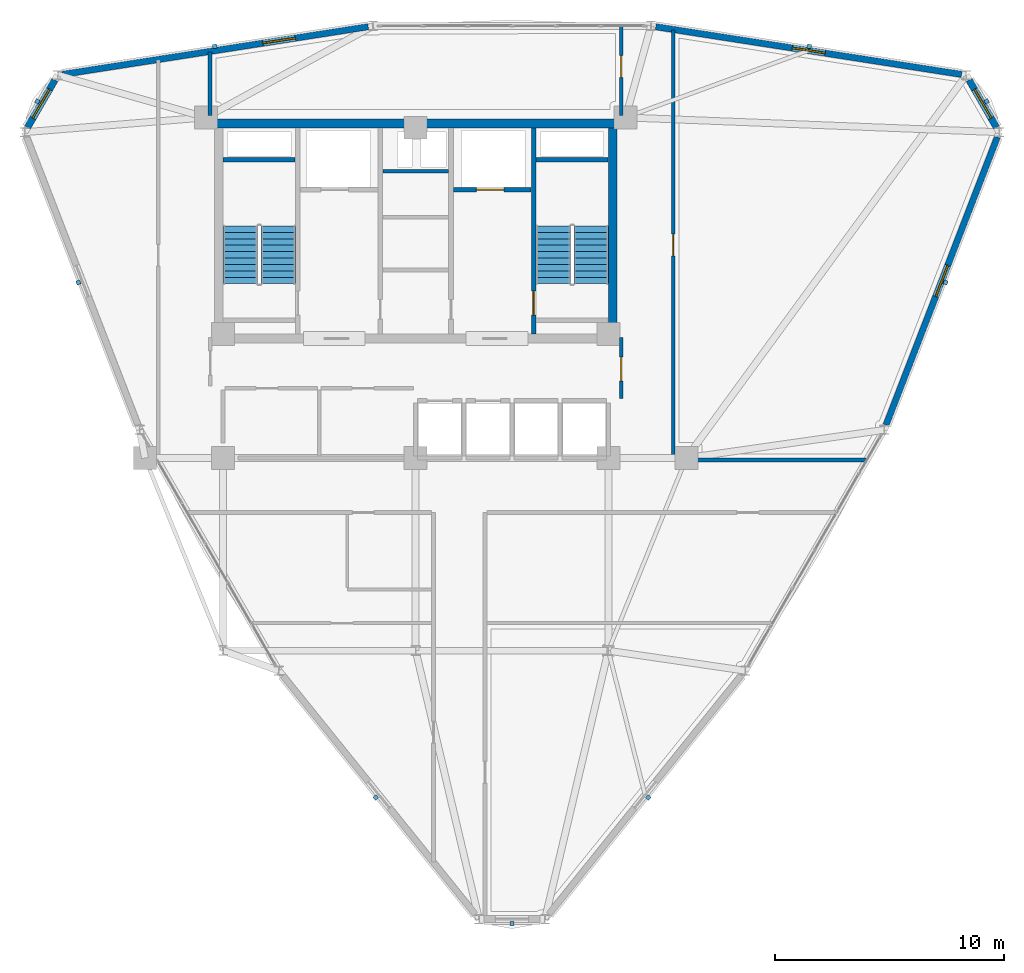
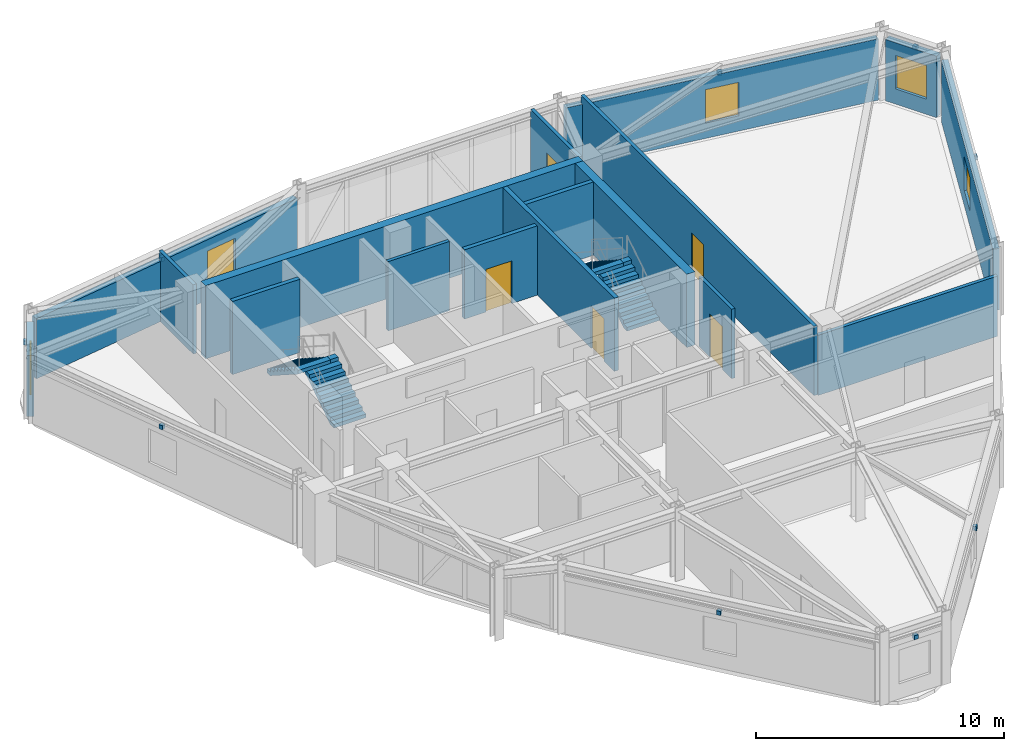
# One storey, part 14 of 16: 17 walls, 9 discrete accessories, 5 doors, 5 windows, 4 stair flights, 10 openings, 2 elements without a shape of their own.
"""IFC4 building model written with IfcOpenShell, lengths in metres."""

from ifc_helpers import new_model, si_unit, derived_unit, direction, frame, frame_2d, origin, origin_2d, place, context, subcontext, project, spatial, polyline, rectangle, outline, extrude, source, transform, mapped, material, layer, layer_set, type_object, element, fill, aggregate, save


model = new_model("IFC4")

# Units and contexts
model_context = context("Model", 3, precision=1e-05, world=origin(), true_north=direction((0.0, 1.0)))
body_context = subcontext(model_context, "Body", "Model", "MODEL_VIEW")
ifc_project = project(units=[si_unit("LENGTHUNIT", "METRE"), si_unit("AREAUNIT", "SQUARE_METRE"), si_unit("VOLUMEUNIT", "CUBIC_METRE"), si_unit("PLANEANGLEUNIT", "RADIAN"), si_unit("MASSUNIT", "GRAM", prefix="KILO"), derived_unit("THERMALTRANSMITTANCEUNIT", [(si_unit("POWERUNIT", "WATT"), 1), (si_unit("LENGTHUNIT", "METRE"), -2), (si_unit("THERMODYNAMICTEMPERATUREUNIT", "KELVIN"), -1)])], contexts=[model_context])

# Site, building, storey
site_placement = place(None, origin())
site = spatial("IfcSite", under=ifc_project, at=site_placement, CompositionType="ELEMENT")
building_placement = place(site_placement, origin())
building = spatial("IfcBuilding", under=site, at=building_placement, Name="Korsvarv Bourse and Concert Hall", CompositionType="ELEMENT")
storey_placement = place(building_placement, frame((0.0, 0.0, 231.0)))
storey = spatial("IfcBuildingStorey", under=building, at=storey_placement, Name="L60", CompositionType="ELEMENT", Elevation=231.0)

# Walls
ifc_material_1 = material(Name="Concrete C50/60", Category="concrete")
ifc_layer_1 = layer(ifc_material_1, 0.3798828125)
ifc_layer_set_1 = layer_set([ifc_layer_1], Name="Concrete C50/60")
wall_type_1 = type_object("IfcWallType", Name="WL-CORE-380", PredefinedType="SHEAR", material=ifc_layer_set_1)
wall_1_placement = place(storey_placement, frame((27.219970703125, 46.989990234375, 0.0), z_axis=(0.0, 0.0, 1.0), x_axis=(1.0, 0.0, 0.0)))
element("IfcWall", 1, at=wall_1_placement, inside=storey, type_object=wall_type_1, Name="L60 North Core Shear Wall", PredefinedType="SHEAR", context=body_context, shape_type="SweptSolid", body=[
    extrude(rectangle(XDim=17.56005859375, YDim=0.3798828125, at=frame_2d((8.780029296875, 0.0))), origin(), (0.0, 0.0, 1.0), 3.60009765625),
])
wall_2_placement = place(storey_placement, frame((44.590087890625, 37.800048828125, 0.0), z_axis=(0.0, 0.0, 1.0), x_axis=(0.0, 1.0, 0.0)))
element("IfcWall", 2, at=wall_2_placement, inside=storey, type_object=wall_type_1, Name="L60 East Core Shear Wall", PredefinedType="SHEAR", context=body_context, shape_type="SweptSolid", body=[
    extrude(rectangle(XDim=9.0, YDim=0.3798828125, at=frame_2d((4.5, 0.0))), origin(), (0.0, 0.0, 1.0), 3.60009765625),
])
wall_3_placement = place(storey_placement, frame((27.610107421875, 45.39990234375, 0.0), z_axis=(0.0, 0.0, 1.0), x_axis=(1.0, 0.0, 0.0)))
element("IfcWall", 3, at=wall_3_placement, inside=storey, type_object=wall_type_1, Name="L60 stair shaft structural wall W-L60-ST1-N", PredefinedType="SHEAR", context=body_context, shape_type="SweptSolid", body=[
    extrude(rectangle(XDim=3.139892578125, YDim=0.199951171875, at=frame_2d((1.56982421875, 0.0))), origin(), (0.0, 0.0, 1.0), 3.60009765625),
])

# Wall, opening, door
wall_4_placement = place(storey_placement, frame((41.139892578125, 37.81005859375, 0.0), z_axis=(0.0, 0.0, 1.0), x_axis=(0.0, 1.0, 0.0)))
wall_4 = element("IfcWall", 4, at=wall_4_placement, inside=storey, type_object=wall_type_1, Name="L60 stair shaft structural wall W-L60-ST2-W", PredefinedType="SHEAR", context=body_context, shape_type="SweptSolid", body=[
    extrude(rectangle(XDim=8.97998046875, YDim=0.199951171875, at=frame_2d((4.489990234375, 0.0))), origin(), (0.0, 0.0, 1.0), 3.60009765625),
])
opening_1_placement = place(wall_4_placement, frame((0.820068359375, 0.0, 0.0)))
opening_1 = element("IfcOpeningElement", 5, at=opening_1_placement, cuts=wall_4, Name="Opening D-01", PredefinedType="OPENING", context=body_context, shape_type="SweptSolid", body=[
    extrude(rectangle(XDim=1.050048828125, YDim=2.10009765625, at=frame_2d((0.52490234375, 1.050048828125))), frame((0.0, 0.10986328125, 0.0), z_axis=(0.0, -1.0, 0.0), x_axis=(1.0, 0.0, 0.0)), (0.0, 0.0, 1.0), 0.219970703125),
])
ifc_material_2 = material(Name="Steel S355 fire door", Category="steel")
door_type_1 = type_object("IfcDoorType", Name="DR-FD60", OperationType="NOTDEFINED", PredefinedType="DOOR", material=ifc_material_2)
door_1_placement = place(opening_1_placement, frame((1.050048828125, 0.0, 0.0), z_axis=(0.0, 0.0, 1.0), x_axis=(-1.0, 0.0, 0.0)))
door_1 = element("IfcDoor", 6, at=door_1_placement, inside=storey, type_object=door_type_1, Name="L60 interior door DR-L60-ST2", OperationType="SINGLE_SWING_LEFT", OverallHeight=2.10009765625, OverallWidth=1.050048828125, PredefinedType="DOOR", context=body_context, shape_type="SweptSolid", body=[
    extrude(rectangle(XDim=1.050048828125, YDim=2.10009765625, at=frame_2d((0.52490234375, 1.050048828125))), frame((0.0, 0.02490234375, 0.0), z_axis=(0.0, -1.0, 0.0), x_axis=(1.0, 0.0, 0.0)), (0.0, 0.0, 1.0), 0.050048828125),
])
fill(opening_1, door_1)

# Wall
wall_5_placement = place(storey_placement, frame((41.25, 45.39990234375, 0.0), z_axis=(0.0, 0.0, 1.0), x_axis=(1.0, 0.0, 0.0)))
element("IfcWall", 7, at=wall_5_placement, inside=storey, type_object=wall_type_1, Name="L60 stair shaft structural wall W-L60-ST2-N", PredefinedType="SHEAR", context=body_context, shape_type="SweptSolid", body=[
    extrude(rectangle(XDim=3.139892578125, YDim=0.199951171875, at=frame_2d((1.56982421875, 0.0))), origin(), (0.0, 0.0, 1.0), 3.60009765625),
])

# Wall, opening, window
ifc_material_3 = material(Name="Precast concrete C45/55 with terracotta rainscreen", Category="concrete")
ifc_layer_2 = layer(ifc_material_3, 0.300048828125)
ifc_layer_set_2 = layer_set([ifc_layer_2], Name="Precast concrete C45/55 with terracotta rainscreen")
wall_type_2 = type_object("IfcWallType", Name="WL-EXT-TC1", PredefinedType="SOLIDWALL", material=ifc_layer_set_2)
wall_6_placement = place(storey_placement, frame((61.32421875, 46.8193359375, 0.0), z_axis=(0.0, 0.0, 1.0), x_axis=(-0.499938113561, 0.866061130988, 0.0)))
wall_6 = element("IfcWall", 8, at=wall_6_placement, inside=storey, type_object=wall_type_2, Name="L60 terracotta exterior wall EW-L60-B01", PredefinedType="SOLIDWALL", context=body_context, shape_type="SweptSolid", body=[
    extrude(rectangle(XDim=2.384521484375, YDim=0.300048828125, at=frame_2d((1.1923828125, 0.0))), origin(), (0.0, 0.0, 1.0), 3.02001953125),
])
opening_2_placement = place(wall_6_placement, frame((0.46728515625, 0.0, 0.75)))
opening_2 = element("IfcOpeningElement", 9, at=opening_2_placement, cuts=wall_6, Name="Opening W-02", PredefinedType="OPENING", context=body_context, shape_type="SweptSolid", body=[
    extrude(rectangle(XDim=1.449951171875, YDim=1.64990234375, at=frame_2d((0.72509765625, 0.824951171875))), frame((0.0, 0.16015625, 0.0), z_axis=(0.0, -1.0, 0.0), x_axis=(1.0, 0.0, 0.0)), (0.0, 0.0, 1.0), 0.320068359375),
])
ifc_material_4 = material(Name="Thermally broken aluminium frame with triple low-E glass", Category="glass")
window_type = type_object("IfcWindowType", Name="WIN-TW2", PartitioningType="SINGLE_PANEL", PredefinedType="WINDOW", material=ifc_material_4)
window_1_placement = place(opening_2_placement, origin())
window_1 = element("IfcWindow", 10, at=window_1_placement, inside=storey, type_object=window_type, Name="L60 punched facade window W-02", OverallHeight=1.64990234375, OverallWidth=1.449951171875, PartitioningType="SINGLE_PANEL", PredefinedType="WINDOW", context=body_context, shape_type="SweptSolid", body=[
    extrude(rectangle(XDim=1.449951171875, YDim=1.64990234375, at=frame_2d((0.72509765625, 0.824951171875))), frame((0.0, 0.030029296875, 0.0), z_axis=(0.0, -1.0, 0.0), x_axis=(1.0, 0.0, 0.0)), (0.0, 0.0, 1.0), 0.06005859375),
])
fill(opening_2, window_1)

wall_7_placement = place(storey_placement, frame((20.26806640625, 48.884521484375, 0.0), z_axis=(0.0, 0.0, 1.0), x_axis=(-0.500014901547, -0.866016800201, 0.0)))
wall_7 = element("IfcWall", 11, at=wall_7_placement, inside=storey, type_object=wall_type_2, Name="L60 terracotta exterior wall EW-L60-B05", PredefinedType="SOLIDWALL", context=body_context, shape_type="SweptSolid", body=[
    extrude(rectangle(XDim=2.384765625, YDim=0.300048828125, at=frame_2d((1.1923828125, 0.0))), origin(), (0.0, 0.0, 1.0), 3.02001953125),
])
opening_3_placement = place(wall_7_placement, frame((0.46728515625, 0.0, 0.75)))
opening_3 = element("IfcOpeningElement", 12, at=opening_3_placement, cuts=wall_7, Name="Opening W-02", PredefinedType="OPENING", context=body_context, shape_type="SweptSolid", body=[
    extrude(rectangle(XDim=1.449951171875, YDim=1.64990234375, at=frame_2d((0.72509765625, 0.824951171875))), frame((0.0, 0.16015625, 0.0), z_axis=(0.0, -1.0, 0.0), x_axis=(1.0, 0.0, 0.0)), (0.0, 0.0, 1.0), 0.320068359375),
])
window_2_placement = place(opening_3_placement, origin())
window_2 = element("IfcWindow", 13, at=window_2_placement, inside=storey, type_object=window_type, Name="L60 punched facade window W-02", OverallHeight=1.64990234375, OverallWidth=1.449951171875, PartitioningType="SINGLE_PANEL", PredefinedType="WINDOW", context=body_context, shape_type="SweptSolid", body=[
    extrude(rectangle(XDim=1.449951171875, YDim=1.64990234375, at=frame_2d((0.72509765625, 0.824951171875))), frame((0.0, 0.030029296875, 0.0), z_axis=(0.0, -1.0, 0.0), x_axis=(1.0, 0.0, 0.0)), (0.0, 0.0, 1.0), 0.06005859375),
])
fill(opening_3, window_2)

ifc_material_5 = material(Name="Precast concrete C45/55 with fluted terracotta pier", Category="concrete")
ifc_layer_3 = layer(ifc_material_5, 0.280029296875)
ifc_layer_set_3 = layer_set([ifc_layer_3], Name="Precast concrete C45/55 with fluted terracotta pier")
wall_type_3 = type_object("IfcWallType", Name="WL-EXT-TC2", PredefinedType="SOLIDWALL", material=ifc_layer_set_3)
wall_8_placement = place(storey_placement, frame((59.801025390625, 49.1298828125, 0.0), z_axis=(0.0, 0.0, 1.0), x_axis=(-0.988058992674, 0.154076042901, 0.0)))
wall_8 = element("IfcWall", 14, at=wall_8_placement, inside=storey, type_object=wall_type_3, Name="L60 terracotta exterior wall EW-L60-B02", PredefinedType="SOLIDWALL", context=body_context, shape_type="SweptSolid", body=[
    extrude(rectangle(XDim=13.492431640625, YDim=0.280029296875, at=frame_2d((6.74609375, 0.0))), origin(), (0.0, 0.0, 1.0), 3.02001953125),
])
opening_4_placement = place(wall_8_placement, frame((6.02099609375, 0.0, 0.75)))
opening_4 = element("IfcOpeningElement", 15, at=opening_4_placement, cuts=wall_8, Name="Opening W-02", PredefinedType="OPENING", context=body_context, shape_type="SweptSolid", body=[
    extrude(rectangle(XDim=1.449951171875, YDim=1.64990234375, at=frame_2d((0.72509765625, 0.824951171875))), frame((0.0, 0.14990234375, 0.0), z_axis=(0.0, -1.0, 0.0), x_axis=(1.0, 0.0, 0.0)), (0.0, 0.0, 1.0), 0.300048828125),
])
window_3_placement = place(opening_4_placement, origin())
window_3 = element("IfcWindow", 16, at=window_3_placement, inside=storey, type_object=window_type, Name="L60 punched facade window W-02", OverallHeight=1.64990234375, OverallWidth=1.449951171875, PartitioningType="SINGLE_PANEL", PredefinedType="WINDOW", context=body_context, shape_type="SweptSolid", body=[
    extrude(rectangle(XDim=1.449951171875, YDim=1.64990234375, at=frame_2d((0.72509765625, 0.824951171875))), frame((0.0, 0.030029296875, 0.0), z_axis=(0.0, -1.0, 0.0), x_axis=(1.0, 0.0, 0.0)), (0.0, 0.0, 1.0), 0.06005859375),
])
fill(opening_4, window_3)

wall_9_placement = place(storey_placement, frame((33.93017578125, 51.208740234375, 0.0), z_axis=(0.0, 0.0, 1.0), x_axis=(-0.988058563106, -0.154078797613, 0.0)))
wall_9 = element("IfcWall", 17, at=wall_9_placement, inside=storey, type_object=wall_type_3, Name="L60 terracotta exterior wall EW-L60-B04", PredefinedType="SOLIDWALL", context=body_context, shape_type="SweptSolid", body=[
    extrude(rectangle(XDim=13.4921875, YDim=0.280029296875, at=frame_2d((6.74609375, 0.0))), origin(), (0.0, 0.0, 1.0), 2.9599609375),
])
opening_5_placement = place(wall_9_placement, frame((3.210693359375, 0.0, 0.75)))
opening_5 = element("IfcOpeningElement", 18, at=opening_5_placement, cuts=wall_9, Name="Opening W-02", PredefinedType="OPENING", context=body_context, shape_type="SweptSolid", body=[
    extrude(rectangle(XDim=1.449951171875, YDim=1.64990234375, at=frame_2d((0.72509765625, 0.824951171875))), frame((0.0, 0.14990234375, 0.0), z_axis=(0.0, -1.0, 0.0), x_axis=(1.0, 0.0, 0.0)), (0.0, 0.0, 1.0), 0.300048828125),
])
window_4_placement = place(opening_5_placement, origin())
window_4 = element("IfcWindow", 19, at=window_4_placement, inside=storey, type_object=window_type, Name="L60 punched facade window W-02", OverallHeight=1.64990234375, OverallWidth=1.449951171875, PartitioningType="SINGLE_PANEL", PredefinedType="WINDOW", context=body_context, shape_type="SweptSolid", body=[
    extrude(rectangle(XDim=1.449951171875, YDim=1.64990234375, at=frame_2d((0.72509765625, 0.824951171875))), frame((0.0, 0.030029296875, 0.0), z_axis=(0.0, -1.0, 0.0), x_axis=(1.0, 0.0, 0.0)), (0.0, 0.0, 1.0), 0.06005859375),
])
fill(opening_5, window_4)

wall_10_placement = place(storey_placement, frame((56.512451171875, 33.842041015625, 0.0), z_axis=(0.0, 0.0, 1.0), x_axis=(0.360605208927, 0.932718544522, 0.0)))
wall_10 = element("IfcWall", 20, at=wall_10_placement, inside=storey, type_object=wall_type_3, Name="L60 terracotta exterior wall EW-L60-B12", PredefinedType="SOLIDWALL", context=body_context, shape_type="SweptSolid", body=[
    extrude(rectangle(XDim=13.45654296875, YDim=0.280029296875, at=frame_2d((6.728271484375, 0.0))), origin(), (0.0, 0.0, 1.0), 3.02001953125),
])
opening_6_placement = place(wall_10_placement, frame((6.00341796875, 0.0, 0.75)))
opening_6 = element("IfcOpeningElement", 21, at=opening_6_placement, cuts=wall_10, Name="Opening W-02", PredefinedType="OPENING", context=body_context, shape_type="SweptSolid", body=[
    extrude(rectangle(XDim=1.449951171875, YDim=1.64990234375, at=frame_2d((0.72509765625, 0.824951171875))), frame((0.0, 0.14990234375, 0.0), z_axis=(0.0, -1.0, 0.0), x_axis=(1.0, 0.0, 0.0)), (0.0, 0.0, 1.0), 0.300048828125),
])
window_5_placement = place(opening_6_placement, origin())
window_5 = element("IfcWindow", 22, at=window_5_placement, inside=storey, type_object=window_type, Name="L60 punched facade window W-02", OverallHeight=1.64990234375, OverallWidth=1.449951171875, PartitioningType="SINGLE_PANEL", PredefinedType="WINDOW", context=body_context, shape_type="SweptSolid", body=[
    extrude(rectangle(XDim=1.449951171875, YDim=1.64990234375, at=frame_2d((0.72509765625, 0.824951171875))), frame((0.0, 0.030029296875, 0.0), z_axis=(0.0, -1.0, 0.0), x_axis=(1.0, 0.0, 0.0)), (0.0, 0.0, 1.0), 0.06005859375),
])
fill(opening_6, window_5)

# Wall, opening, door
ifc_material_6 = material(Name="Reinforced concrete blockwork C35/45 fire wall", Category="concrete")
ifc_layer_4 = layer(ifc_material_6, 0.199951171875)
ifc_layer_set_4 = layer_set([ifc_layer_4], Name="Reinforced concrete blockwork C35/45 fire wall")
wall_type_4 = type_object("IfcWallType", Name="WL-INT-EI120", PredefinedType="PARTITIONING", material=ifc_layer_set_4)
wall_11_placement = place(storey_placement, frame((37.64990234375, 44.10009765625, 0.0), z_axis=(0.0, 0.0, 1.0), x_axis=(1.0, 0.0, 0.0)))
wall_11 = element("IfcWall", 23, at=wall_11_placement, inside=storey, type_object=wall_type_4, Name="L60 interior partition wall W-L60-FF2-S", PredefinedType="PARTITIONING", context=body_context, shape_type="SweptSolid", body=[
    extrude(rectangle(XDim=3.380126953125, YDim=0.199951171875, at=frame_2d((1.68994140625, 0.0))), origin(), (0.0, 0.0, 1.0), 3.409912109375),
])
opening_7_placement = place(wall_11_placement, frame((1.0, 0.0, 0.0)))
opening_7 = element("IfcOpeningElement", 24, at=opening_7_placement, cuts=wall_11, Name="Opening LD-1", PredefinedType="OPENING", context=body_context, shape_type="SweptSolid", body=[
    extrude(rectangle(XDim=1.199951171875, YDim=2.10009765625, at=frame_2d((0.60009765625, 1.050048828125))), frame((0.0, 0.10986328125, 0.0), z_axis=(0.0, -1.0, 0.0), x_axis=(1.0, 0.0, 0.0)), (0.0, 0.0, 1.0), 0.219970703125),
])
ifc_material_7 = material(Name="Stainless Steel S355 firefighting lift landing door", Category="steel")
door_type_2 = type_object("IfcDoorType", Name="DR-LIFT-FF", OperationType="DOUBLE_DOOR_SLIDING", PredefinedType="DOOR", material=ifc_material_7)
door_2_placement = place(opening_7_placement, origin())
door_2 = element("IfcDoor", 25, at=door_2_placement, inside=storey, type_object=door_type_2, Name="L60 lift sliding landing door LD-L60-FF2", OperationType="DOUBLE_DOOR_SLIDING", OverallHeight=2.10009765625, OverallWidth=1.199951171875, PredefinedType="DOOR", context=body_context, shape_type="SweptSolid", body=[
    extrude(rectangle(XDim=1.199951171875, YDim=2.10009765625, at=frame_2d((0.60009765625, 1.050048828125))), frame((0.0, 0.02490234375, 0.0), z_axis=(0.0, -1.0, 0.0), x_axis=(1.0, 0.0, 0.0)), (0.0, 0.0, 1.0), 0.050048828125),
])
fill(opening_7, door_2)

# Wall
ifc_material_8 = material(Name="Double-stud fire-rated acoustic partition", Category="gypsum")
ifc_layer_5 = layer(ifc_material_8, 0.159912109375)
ifc_layer_set_5 = layer_set([ifc_layer_5], Name="Double-stud fire-rated acoustic partition")
wall_type_5 = type_object("IfcWallType", Name="WL-INT-EI60", PredefinedType="PARTITIONING", material=ifc_layer_set_5)
wall_12_placement = place(storey_placement, frame((34.570068359375, 44.89990234375, 0.0), z_axis=(0.0, 0.0, 1.0), x_axis=(1.0, 0.0, 0.0)))
element("IfcWall", 26, at=wall_12_placement, inside=storey, type_object=wall_type_5, Name="L60 interior partition wall W-L60-K3", PredefinedType="PARTITIONING", context=body_context, shape_type="SweptSolid", body=[
    extrude(rectangle(XDim=2.85986328125, YDim=0.159912109375, at=frame_2d((1.429931640625, 0.0))), origin(), (0.0, 0.0, 1.0), 3.409912109375),
])

# Wall, opening, door
wall_13_placement = place(storey_placement, frame((44.9599609375, 35.0, 0.0), z_axis=(0.0, 0.0, 1.0), x_axis=(0.0, 1.0, 0.0)))
wall_13 = element("IfcWall", 27, at=wall_13_placement, inside=storey, type_object=wall_type_5, Name="L60 interior partition wall W-L60-LOB-E", PredefinedType="PARTITIONING", context=body_context, shape_type="SweptSolid", body=[
    extrude(rectangle(XDim=2.64990234375, YDim=0.159912109375, at=frame_2d((1.324951171875, 0.0))), origin(), (0.0, 0.0, 1.0), 3.409912109375),
])
opening_8_placement = place(wall_13_placement, frame((0.75, 0.0, 0.0)))
opening_8 = element("IfcOpeningElement", 28, at=opening_8_placement, cuts=wall_13, Name="Opening D-01", PredefinedType="OPENING", context=body_context, shape_type="SweptSolid", body=[
    extrude(rectangle(XDim=1.050048828125, YDim=2.10009765625, at=frame_2d((0.52490234375, 1.050048828125))), frame((0.0, 0.08984375, 0.0), z_axis=(0.0, -1.0, 0.0), x_axis=(1.0, 0.0, 0.0)), (0.0, 0.0, 1.0), 0.179931640625),
])
door_3_placement = place(opening_8_placement, origin())
door_3 = element("IfcDoor", 29, at=door_3_placement, inside=storey, type_object=door_type_1, Name="L60 interior door DR-L60-LOBE", OperationType="SINGLE_SWING_LEFT", OverallHeight=2.10009765625, OverallWidth=1.050048828125, PredefinedType="DOOR", context=body_context, shape_type="SweptSolid", body=[
    extrude(rectangle(XDim=1.050048828125, YDim=2.10009765625, at=frame_2d((0.52490234375, 1.050048828125))), frame((0.0, 0.02490234375, 0.0), z_axis=(0.0, -1.0, 0.0), x_axis=(1.0, 0.0, 0.0)), (0.0, 0.0, 1.0), 0.050048828125),
])
fill(opening_8, door_3)

wall_14_placement = place(storey_placement, frame((47.22509765625, 32.31005859375, 0.0), z_axis=(0.0, 0.0, 1.0), x_axis=(0.0, 1.0, 0.0)))
wall_14 = element("IfcWall", 30, at=wall_14_placement, inside=storey, type_object=wall_type_5, Name="L60 interior partition wall W-L60-TCOR-01", PredefinedType="PARTITIONING", context=body_context, shape_type="SweptSolid", body=[
    extrude(rectangle(XDim=18.7607421875, YDim=0.159912109375, at=frame_2d((9.38037109375, 0.0))), origin(), (0.0, 0.0, 1.0), 3.409912109375),
])
opening_9_placement = place(wall_14_placement, frame((8.905517578125, 0.0, 0.0)))
opening_9 = element("IfcOpeningElement", 31, at=opening_9_placement, cuts=wall_14, Name="Opening D-02", PredefinedType="OPENING", context=body_context, shape_type="SweptSolid", body=[
    extrude(rectangle(XDim=0.949951171875, YDim=2.050048828125, at=frame_2d((0.47509765625, 1.02490234375))), frame((0.0, 0.08984375, 0.0), z_axis=(0.0, -1.0, 0.0), x_axis=(1.0, 0.0, 0.0)), (0.0, 0.0, 1.0), 0.179931640625),
])
ifc_material_9 = material(Name="Timber and steel acoustic fire door", Category="wood")
door_type_3 = type_object("IfcDoorType", Name="DR-FD30", OperationType="NOTDEFINED", PredefinedType="DOOR", material=ifc_material_9)
door_4_placement = place(opening_9_placement, origin())
door_4 = element("IfcDoor", 32, at=door_4_placement, inside=storey, type_object=door_type_3, Name="L60 interior door DR-L60-TCOR-NEJ1", OperationType="SINGLE_SWING_RIGHT", OverallHeight=2.050048828125, OverallWidth=0.949951171875, PredefinedType="DOOR", context=body_context, shape_type="SweptSolid", body=[
    extrude(rectangle(XDim=0.949951171875, YDim=2.050048828125, at=frame_2d((0.47509765625, 1.02490234375))), frame((0.0, 0.02490234375, 0.0), z_axis=(0.0, -1.0, 0.0), x_axis=(1.0, 0.0, 0.0)), (0.0, 0.0, 1.0), 0.050048828125),
])
fill(opening_9, door_4)

# Wall
wall_15_placement = place(storey_placement, frame((47.306884765625, 32.31494140625, 0.0), z_axis=(0.0, 0.0, 1.0), x_axis=(1.0, 0.0, 0.0)))
element("IfcWall", 33, at=wall_15_placement, inside=storey, type_object=wall_type_5, Name="L60 interior partition wall W-L60-TCOR-07", PredefinedType="PARTITIONING", context=body_context, shape_type="SweptSolid", body=[
    extrude(rectangle(XDim=8.344482421875, YDim=0.159912109375, at=frame_2d((4.17236328125, 0.0))), origin(), (0.0, 0.0, 1.0), 2.9599609375),
])

# Wall, opening, door
wall_16_placement = place(storey_placement, frame((44.965087890625, 47.340087890625, 0.0), z_axis=(0.0, 0.0, 1.0), x_axis=(0.0, 1.0, 0.0)))
wall_16 = element("IfcWall", 34, at=wall_16_placement, inside=storey, type_object=wall_type_5, Name="L60 interior partition wall W-L60-TCOR-08", PredefinedType="PARTITIONING", context=body_context, shape_type="SweptSolid", body=[
    extrude(rectangle(XDim=3.881103515625, YDim=0.159912109375, at=frame_2d((1.9404296875, 0.0))), origin(), (0.0, 0.0, 1.0), 3.409912109375),
])
opening_10_placement = place(wall_16_placement, frame((1.656494140625, 0.0, 0.0)))
opening_10 = element("IfcOpeningElement", 35, at=opening_10_placement, cuts=wall_16, Name="Opening D-02", PredefinedType="OPENING", context=body_context, shape_type="SweptSolid", body=[
    extrude(rectangle(XDim=0.949951171875, YDim=2.050048828125, at=frame_2d((0.47509765625, 1.02490234375))), frame((0.0, 0.08984375, 0.0), z_axis=(0.0, -1.0, 0.0), x_axis=(1.0, 0.0, 0.0)), (0.0, 0.0, 1.0), 0.179931640625),
])
door_5_placement = place(opening_10_placement, origin())
door_5 = element("IfcDoor", 36, at=door_5_placement, inside=storey, type_object=door_type_3, Name="L60 interior door DR-L60-TCOR-RM44", OperationType="SINGLE_SWING_RIGHT", OverallHeight=2.050048828125, OverallWidth=0.949951171875, PredefinedType="DOOR", context=body_context, shape_type="SweptSolid", body=[
    extrude(rectangle(XDim=0.949951171875, YDim=2.050048828125, at=frame_2d((0.47509765625, 1.02490234375))), frame((0.0, 0.02490234375, 0.0), z_axis=(0.0, -1.0, 0.0), x_axis=(1.0, 0.0, 0.0)), (0.0, 0.0, 1.0), 0.050048828125),
])
fill(opening_10, door_5)

# Wall
wall_17_placement = place(storey_placement, frame((27.034912109375, 47.340087890625, 0.0), z_axis=(0.0, 0.0, 1.0), x_axis=(0.0, 1.0, 0.0)))
element("IfcWall", 37, at=wall_17_placement, inside=storey, type_object=wall_type_5, Name="L60 interior partition wall W-L60-TCOR-09", PredefinedType="PARTITIONING", context=body_context, shape_type="SweptSolid", body=[
    extrude(rectangle(XDim=2.7734375, YDim=0.159912109375, at=frame_2d((1.38671875, 0.0))), origin(), (0.0, 0.0, 1.0), 3.409912109375),
])

# Stair, stair flights
ifc_material_10 = material(Name="Precast concrete C45/55", Category="concrete")
stair_type = type_object("IfcStairType", Name="STR-TYPE-04", PredefinedType="HALF_TURN_STAIR", material=ifc_material_10)
stair_1_placement = place(storey_placement, origin())
stair_1 = element("IfcStair", 38, at=stair_1_placement, inside=storey, type_object=stair_type, Name="L60 Tower West Exit Stair ST-T1", PredefinedType="HALF_TURN_STAIR")
stair_flight_type = type_object("IfcStairFlightType", Name="FLT-TYPE-04", PredefinedType="STRAIGHT", material=ifc_material_10)
stair_flight_1_placement = place(storey_placement, frame((30.010009765625, 40.0, 0.0), z_axis=(0.0, 0.0, 1.0), x_axis=(0.0, 1.0, 0.0)))
stair_flight_1 = element("IfcStairFlight", 39, at=stair_flight_1_placement, type_object=stair_flight_type, Name="ST-T1 flight 1", NumberOfRisers=10, NumberOfTreads=9, PredefinedType="STRAIGHT", RiserHeight=0.18, TreadLength=0.28, context=body_context, shape_type="SweptSolid", body=[
    extrude(outline(polyline([(0.0, 0.0), (0.0, 0.179931640625), (0.280029296875, 0.179931640625), (0.280029296875, 0.360107421875), (0.56005859375, 0.360107421875), (0.56005859375, 0.5400390625), (0.840087890625, 0.5400390625), (0.840087890625, 0.719970703125), (1.1201171875, 0.719970703125), (1.1201171875, 0.89990234375), (1.39990234375, 0.89990234375), (1.39990234375, 1.080078125), (1.679931640625, 1.080078125), (1.679931640625, 1.260009765625), (1.9599609375, 1.260009765625), (1.9599609375, 1.43994140625), (2.239990234375, 1.43994140625), (2.239990234375, 1.6201171875), (2.52001953125, 1.6201171875), (2.52001953125, 1.800048828125), (2.52001953125, 1.44189453125), (0.277099609375, 0.0), (0.0, 0.0)])), frame((0.0, 0.75, 0.0), z_axis=(0.0, -1.0, 0.0), x_axis=(1.0, 0.0, 0.0)), (0.0, 0.0, 1.0), 1.5),
])
stair_flight_2_placement = place(storey_placement, frame((28.35009765625, 42.52001953125, 1.800048828125), z_axis=(0.0, 0.0, 1.0), x_axis=(0.0, -1.0, 0.0)))
stair_flight_2 = element("IfcStairFlight", 40, at=stair_flight_2_placement, type_object=stair_flight_type, Name="ST-T1 flight 2", NumberOfRisers=10, NumberOfTreads=9, PredefinedType="STRAIGHT", RiserHeight=0.18, TreadLength=0.28, context=body_context, shape_type="SweptSolid", body=[
    extrude(outline(polyline([(0.0, 0.0), (0.0, 0.179931640625), (0.280029296875, 0.179931640625), (0.280029296875, 0.360107421875), (0.56005859375, 0.360107421875), (0.56005859375, 0.5400390625), (0.840087890625, 0.5400390625), (0.840087890625, 0.719970703125), (1.1201171875, 0.719970703125), (1.1201171875, 0.89990234375), (1.39990234375, 0.89990234375), (1.39990234375, 1.080078125), (1.679931640625, 1.080078125), (1.679931640625, 1.260009765625), (1.9599609375, 1.260009765625), (1.9599609375, 1.43994140625), (2.239990234375, 1.43994140625), (2.239990234375, 1.6201171875), (2.52001953125, 1.6201171875), (2.52001953125, 1.800048828125), (2.52001953125, 1.44189453125), (0.277099609375, 0.0), (0.0, 0.0)])), frame((0.0, 0.75, 0.0), z_axis=(0.0, -1.0, 0.0), x_axis=(1.0, 0.0, 0.0)), (0.0, 0.0, 1.0), 1.5),
])
aggregate(stair_1, [stair_flight_1, stair_flight_2])

stair_2_placement = place(storey_placement, origin())
stair_2 = element("IfcStair", 41, at=stair_2_placement, inside=storey, type_object=stair_type, Name="L60 Tower East Exit Stair ST-T2", PredefinedType="HALF_TURN_STAIR")
stair_flight_3_placement = place(storey_placement, frame((43.64990234375, 40.0, 0.0), z_axis=(0.0, 0.0, 1.0), x_axis=(0.0, 1.0, 0.0)))
stair_flight_3 = element("IfcStairFlight", 42, at=stair_flight_3_placement, type_object=stair_flight_type, Name="ST-T2 flight 1", NumberOfRisers=10, NumberOfTreads=9, PredefinedType="STRAIGHT", RiserHeight=0.18, TreadLength=0.28, context=body_context, shape_type="SweptSolid", body=[
    extrude(outline(polyline([(0.0, 0.0), (0.0, 0.179931640625), (0.280029296875, 0.179931640625), (0.280029296875, 0.360107421875), (0.56005859375, 0.360107421875), (0.56005859375, 0.5400390625), (0.840087890625, 0.5400390625), (0.840087890625, 0.719970703125), (1.1201171875, 0.719970703125), (1.1201171875, 0.89990234375), (1.39990234375, 0.89990234375), (1.39990234375, 1.080078125), (1.679931640625, 1.080078125), (1.679931640625, 1.260009765625), (1.9599609375, 1.260009765625), (1.9599609375, 1.43994140625), (2.239990234375, 1.43994140625), (2.239990234375, 1.6201171875), (2.52001953125, 1.6201171875), (2.52001953125, 1.800048828125), (2.52001953125, 1.44189453125), (0.277099609375, 0.0), (0.0, 0.0)])), frame((0.0, 0.75, 0.0), z_axis=(0.0, -1.0, 0.0), x_axis=(1.0, 0.0, 0.0)), (0.0, 0.0, 1.0), 1.5),
])
stair_flight_4_placement = place(storey_placement, frame((41.989990234375, 42.52001953125, 1.800048828125), z_axis=(0.0, 0.0, 1.0), x_axis=(0.0, -1.0, 0.0)))
stair_flight_4 = element("IfcStairFlight", 43, at=stair_flight_4_placement, type_object=stair_flight_type, Name="ST-T2 flight 2", NumberOfRisers=10, NumberOfTreads=9, PredefinedType="STRAIGHT", RiserHeight=0.18, TreadLength=0.28, context=body_context, shape_type="SweptSolid", body=[
    extrude(outline(polyline([(0.0, 0.0), (0.0, 0.179931640625), (0.280029296875, 0.179931640625), (0.280029296875, 0.360107421875), (0.56005859375, 0.360107421875), (0.56005859375, 0.5400390625), (0.840087890625, 0.5400390625), (0.840087890625, 0.719970703125), (1.1201171875, 0.719970703125), (1.1201171875, 0.89990234375), (1.39990234375, 0.89990234375), (1.39990234375, 1.080078125), (1.679931640625, 1.080078125), (1.679931640625, 1.260009765625), (1.9599609375, 1.260009765625), (1.9599609375, 1.43994140625), (2.239990234375, 1.43994140625), (2.239990234375, 1.6201171875), (2.52001953125, 1.6201171875), (2.52001953125, 1.800048828125), (2.52001953125, 1.44189453125), (0.277099609375, 0.0), (0.0, 0.0)])), frame((0.0, 0.75, 0.0), z_axis=(0.0, -1.0, 0.0), x_axis=(1.0, 0.0, 0.0)), (0.0, 0.0, 1.0), 1.5),
])
aggregate(stair_2, [stair_flight_3, stair_flight_4])

# Discrete accessories
ifc_material_11 = material(Name="Stainless Steel S355 facade outrigger bracket", Category="steel")
discrete_accessory_type = type_object("IfcDiscreteAccessoryType", Name="ACC-BRK-1", PredefinedType="BRACKET", material=ifc_material_11)
shared_shape = source(origin(), body_context, "Body", "SweptSolid", [
    extrude(rectangle(XDim=0.179931640625, YDim=0.179931640625, at=origin_2d()), origin(), (0.0, 0.0, 1.0), 0.199951171875),
])
for number, where, z_axis, x_axis, name in (
    (44, (60.892578125, 47.947021484375, 2.76025390625), (0.0, 0.0, 1.0), (-0.5, 0.866025403784, 0.0), "L60 terracotta sunshade bracket EW-L60-B01"),
    (45, (53.1630859375, 50.34716796875, 2.76025390625), (0.0, 0.0, 1.0), (-0.988067633226, 0.154020622552, 0.0), "L60 terracotta sunshade bracket EW-L60-B02"),
    (46, (27.23681640625, 50.34716796875, 2.7001953125), (0.0, 0.0, 1.0), (-0.988067633226, -0.154020622552, 0.0), "L60 terracotta sunshade bracket EW-L60-B04"),
    (47, (19.50732421875, 47.947021484375, 2.76025390625), (0.0, 0.0, 1.0), (-0.5, -0.866025403784, 0.0), "L60 terracotta sunshade bracket EW-L60-B05"),
    (48, (21.29345703125, 40.052734375, 2.76025390625), (0.0, 0.0, 1.0), (0.360648044776, -0.932701982307, 0.0), "L60 terracotta sunshade bracket EW-L60-B06"),
    (49, (34.256591796875, 17.60009765625, 2.7001953125), (0.0, 0.0, 1.0), (0.62741958845, -0.778681359755, 0.0), "L60 terracotta sunshade bracket EW-L60-B08"),
    (50, (40.199951171875, 12.106201171875, 2.76025390625), (0.0, 0.0, 1.0), (1.0, 0.0, 0.0), "L60 terracotta sunshade bracket EW-L60-B09"),
    (51, (46.1435546875, 17.60009765625, 2.7001953125), (0.0, 0.0, 1.0), (0.62741958845, 0.778681359755, 0.0), "L60 terracotta sunshade bracket EW-L60-B10"),
    (52, (59.106689453125, 40.052734375, 2.76025390625), (0.0, 0.0, 1.0), (0.360648044776, 0.932701982307, 0.0), "L60 terracotta sunshade bracket EW-L60-B12"),
):
    element("IfcDiscreteAccessory", number, at=place(storey_placement, frame(where, z_axis=z_axis, x_axis=x_axis)), inside=storey, type_object=discrete_accessory_type, Name=name, PredefinedType="BRACKET", context=body_context, shape_type="MappedRepresentation", body=[
        mapped(shared_shape, transform((0.0, 0.0, 0.0), scale=1.0)),
    ])

save(model, "model.ifc")
